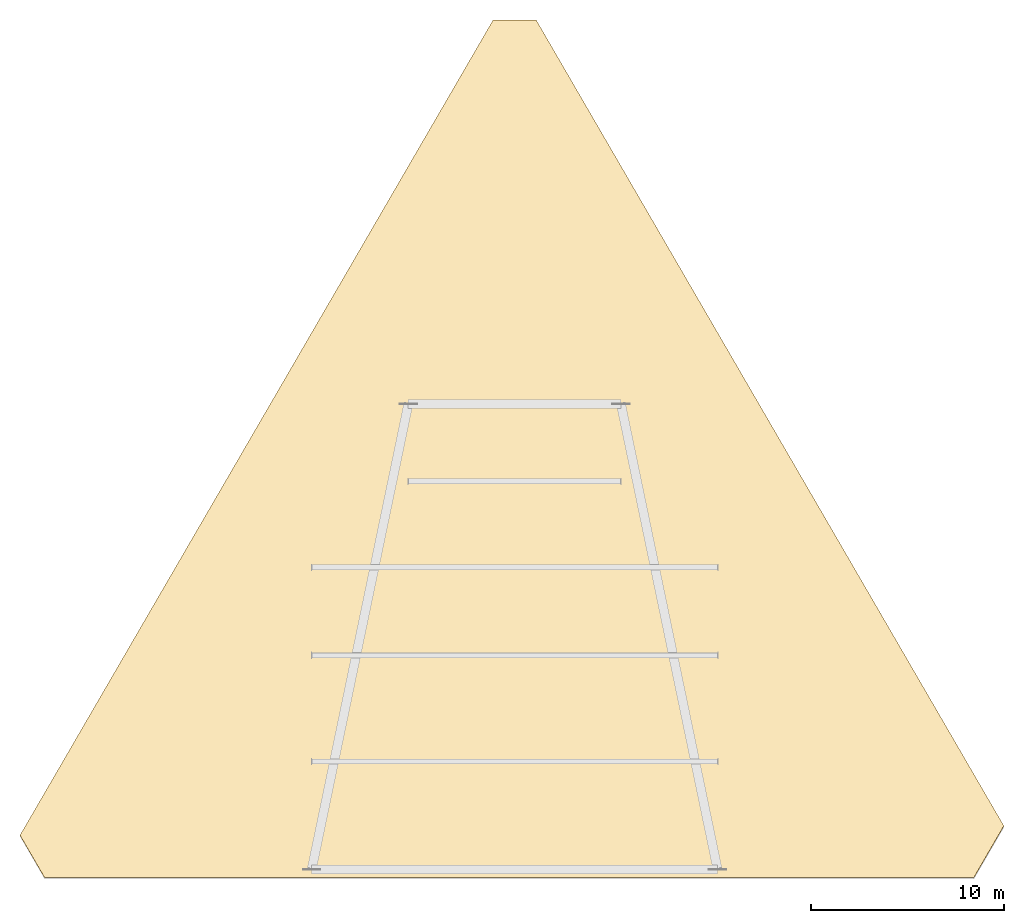
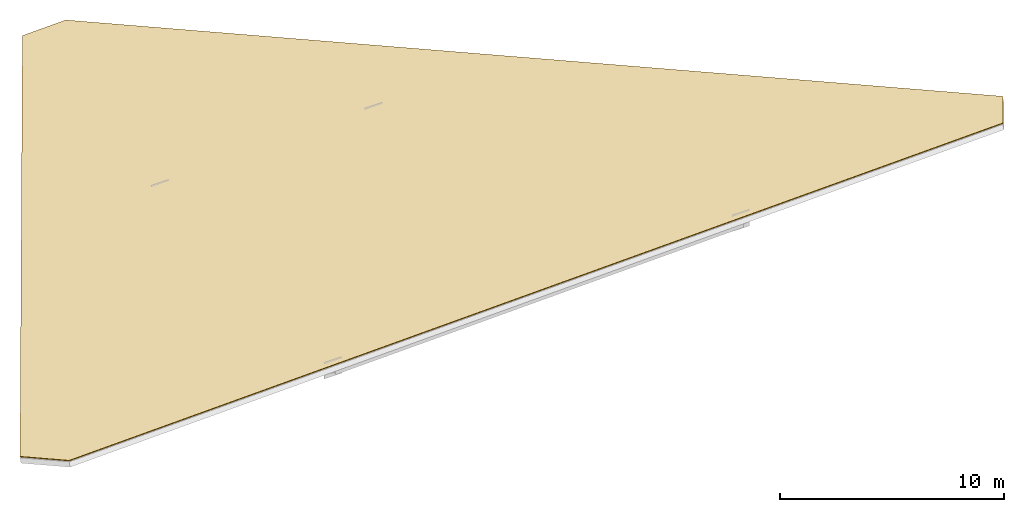
# One storey, part 4 of 4: 1 covering.
"""IFC4 building model written with IfcOpenShell, lengths in metres."""

from ifc_helpers import new_model, si_unit, direction, frame, origin, place, context, subcontext, project, spatial, polyline, outline, extrude, material, layer, layer_set, type_object, element, save


model = new_model("IFC4")

# Units and contexts
model_context = context("Model", 3, precision=1e-05, world=origin(), true_north=direction((0.0, 1.0)))
body_context = subcontext(model_context, "Body", "Model", "MODEL_VIEW")
ifc_project = project(units=[si_unit("LENGTHUNIT", "METRE"), si_unit("AREAUNIT", "SQUARE_METRE"), si_unit("VOLUMEUNIT", "CUBIC_METRE"), si_unit("PLANEANGLEUNIT", "RADIAN"), si_unit("MASSUNIT", "GRAM", prefix="KILO")], contexts=[model_context])

# Site, building, storey
site_placement = place(None, origin())
site = spatial("IfcSite", under=ifc_project, at=site_placement, CompositionType="ELEMENT")
building_placement = place(site_placement, origin())
building = spatial("IfcBuilding", under=site, at=building_placement, Name="Varnakhor Terracotta Tower", CompositionType="ELEMENT")
storey_placement = place(building_placement, frame((0.0, 0.0, 333.10009765625)))
storey = spatial("IfcBuildingStorey", under=building, at=storey_placement, Name="RF", CompositionType="ELEMENT", Elevation=333.10009765625)

# Covering
ifc_material = material(Name="Insulated Elastomeric Waterproof Roofing Membrane", Category="other")
ifc_layer = layer(ifc_material, 0.034912109375, Name="Insulated Elastomeric Waterproof Roofing Membrane")
ifc_layer_set = layer_set([ifc_layer], Name="Insulated Elastomeric Waterproof Roofing Membrane")
covering_type = type_object("IfcCoveringType", Name="COV-ROOF-MEMBRANE", PredefinedType="ROOFING", material=ifc_layer_set)
covering_placement = place(storey_placement, frame((-24.32421875, 0.0, 9.25146484375), z_axis=(-0.030756173306, 0.273954825897, 0.961250649504), x_axis=(0.999488505025, -1.727033e-06, 0.031980123834)))
element("IfcCovering", 1, at=covering_placement, inside=storey, type_object=covering_type, Name="Crown Waterproofing Membrane", PredefinedType="ROOFING", context=body_context, shape_type="SweptSolid", body=[
    extrude(outline(polyline([(0.0, 0.0), (48.108845276040604, 1.1102230246251565e-16), (49.63653400860228, 2.7797243202519466), (25.047517720111376, 46.13412276380711), (22.816886073615912, 46.134106227390475), (-1.2896266304463446, 2.2742199098475515), (0.0, 0.0)])), origin(), (0.0, 0.0, -1.0), 0.034912109375),
])

save(model, "model.ifc")
